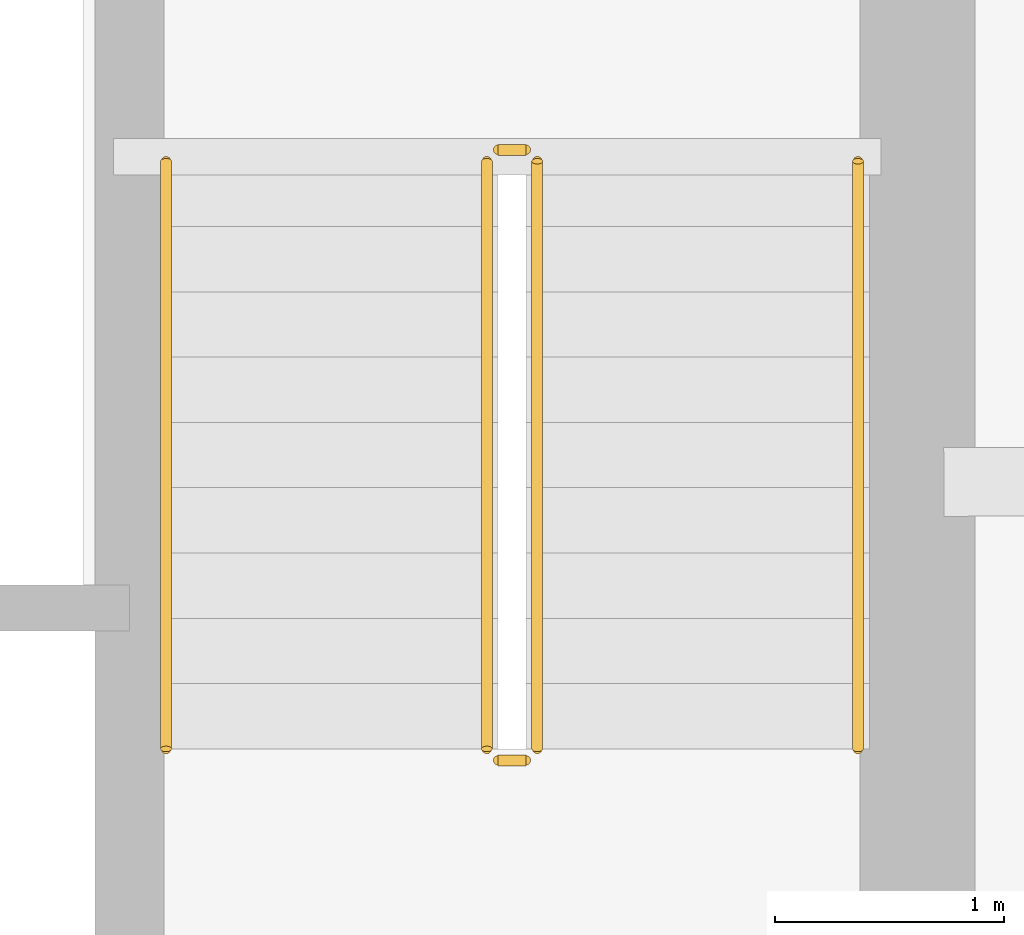
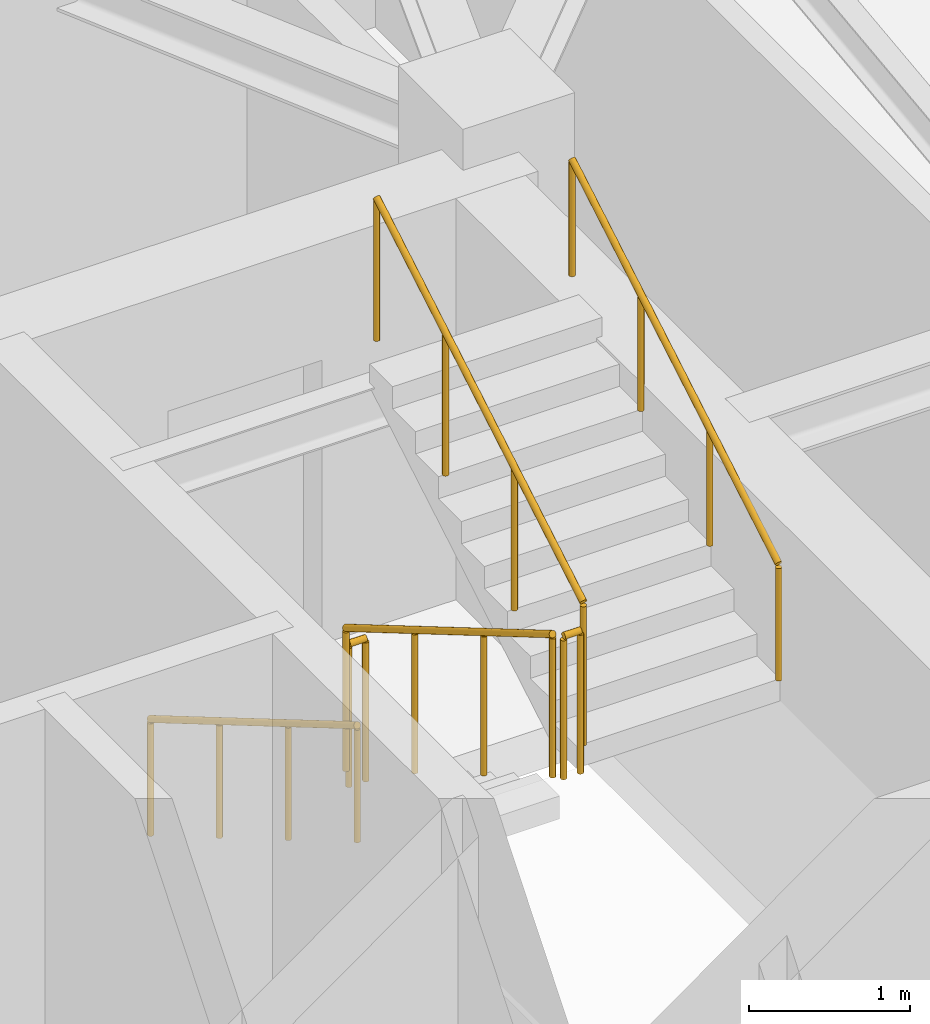
# One storey, part 12 of 12: 6 railings.
"""IFC4 building model written with IfcOpenShell, lengths in metres."""

from ifc_helpers import new_model, si_unit, direction, frame, origin, origin_2d, place, context, subcontext, project, spatial, circle, extrude, material, type_object, element, save


model = new_model("IFC4")

# Units and contexts
model_context = context("Model", 3, precision=1e-05, world=origin(), true_north=direction((0.0, 1.0)))
body_context = subcontext(model_context, "Body", "Model", "MODEL_VIEW")
ifc_project = project(units=[si_unit("LENGTHUNIT", "METRE"), si_unit("AREAUNIT", "SQUARE_METRE"), si_unit("VOLUMEUNIT", "CUBIC_METRE"), si_unit("PLANEANGLEUNIT", "RADIAN"), si_unit("MASSUNIT", "GRAM", prefix="KILO")], contexts=[model_context])

# Site, building, storey
site_placement = place(None, origin())
site = spatial("IfcSite", under=ifc_project, at=site_placement, CompositionType="ELEMENT")
building_placement = place(site_placement, origin())
building = spatial("IfcBuilding", under=site, at=building_placement, Name="Qobustan Lattice House", CompositionType="ELEMENT")
storey_placement = place(building_placement, frame((0.0, 0.0, 203.10009765625)))
storey = spatial("IfcBuildingStorey", under=building, at=storey_placement, Name="L57", CompositionType="ELEMENT", Elevation=203.10009765625)

# Railings
ifc_material_1 = material(Name="Brushed stainless steel handrail", Category="steel")
railing_type_1 = type_object("IfcRailingType", Name="RAL-HR-920", PredefinedType="HANDRAIL", material=ifc_material_1)
railing_1_placement = place(storey_placement, frame((15.179931640625, 3.5, 0.16748046875)))
element("IfcRailing", 1, at=railing_1_placement, inside=storey, type_object=railing_type_1, Name="L57 ST-E1 stair handrail 1", PredefinedType="HANDRAIL", context=body_context, shape_type="SweptSolid", body=[
    extrude(circle(Radius=0.02392578125, at=origin_2d()), frame((0.0, 0.0, 0.8759765625), z_axis=(0.0, -0.862149314443, 0.506654280161), x_axis=(1.0, 0.0, 0.0)), (0.0, 0.0, 1.0), 2.97509765625),
    extrude(circle(Radius=0.02099609375, at=origin_2d()), origin(), (0.0, 0.0, 1.0), 0.851806640625),
    extrude(circle(Radius=0.02099609375, at=origin_2d()), frame((0.0, -0.85498046875, 0.50244140625)), (0.0, 0.0, 1.0), 0.851806640625),
    extrude(circle(Radius=0.02099609375, at=origin_2d()), frame((0.0, -1.7099609375, 1.0048828125)), (0.0, 0.0, 1.0), 0.851806640625),
    extrude(circle(Radius=0.02099609375, at=origin_2d()), frame((0.0, -2.56494140625, 1.50732421875)), (0.0, 0.0, 1.0), 0.851806640625),
])
railing_2_placement = place(storey_placement, frame((18.199951171875, 0.93505859375, 1.84228515625)))
element("IfcRailing", 2, at=railing_2_placement, inside=storey, type_object=railing_type_1, Name="L57 ST-E1 stair handrail 2", PredefinedType="HANDRAIL", context=body_context, shape_type="SweptSolid", body=[
    extrude(circle(Radius=0.02392578125, at=origin_2d()), frame((0.0, 0.0, 0.8759765625), z_axis=(0.0, 0.862113467892, 0.50671527358), x_axis=(-1.0, 0.0, 0.0)), (0.0, 0.0, 1.0), 2.97509765625),
    extrude(circle(Radius=0.02099609375, at=origin_2d()), origin(), (0.0, 0.0, 1.0), 0.851806640625),
    extrude(circle(Radius=0.02099609375, at=origin_2d()), frame((0.0, 0.85498046875, 0.50244140625)), (0.0, 0.0, 1.0), 0.851806640625),
    extrude(circle(Radius=0.02099609375, at=origin_2d()), frame((0.0, 1.7099609375, 1.005126953125)), (0.0, 0.0, 1.0), 0.851806640625),
    extrude(circle(Radius=0.02099609375, at=origin_2d()), frame((0.0, 2.56494140625, 1.507568359375)), (0.0, 0.0, 1.0), 0.851806640625),
])
ifc_material_2 = material(Name="Painted galvanized steel guardrail", Category="steel")
railing_type_2 = type_object("IfcRailingType", Name="RAL-STG-1150", PredefinedType="GUARDRAIL", material=ifc_material_2)
railing_3_placement = place(storey_placement, frame((16.580078125, 3.5, 0.16748046875)))
element("IfcRailing", 3, at=railing_3_placement, inside=storey, type_object=railing_type_2, Name="L57 ST-E1 stair guard 1", PredefinedType="GUARDRAIL", context=body_context, shape_type="SweptSolid", body=[
    extrude(circle(Radius=0.02392578125, at=origin_2d()), frame((0.0, 0.0, 1.076171875), z_axis=(0.0, -0.862149314443, 0.506654280161), x_axis=(1.0, 0.0, 0.0)), (0.0, 0.0, 1.0), 2.97509765625),
    extrude(circle(Radius=0.02099609375, at=origin_2d()), origin(), (0.0, 0.0, 1.0), 1.052001953125),
    extrude(circle(Radius=0.02099609375, at=origin_2d()), frame((0.0, -0.85498046875, 0.50244140625)), (0.0, 0.0, 1.0), 1.052001953125),
    extrude(circle(Radius=0.02099609375, at=origin_2d()), frame((0.0, -1.7099609375, 1.0048828125)), (0.0, 0.0, 1.0), 1.052001953125),
    extrude(circle(Radius=0.02099609375, at=origin_2d()), frame((0.0, -2.56494140625, 1.50732421875)), (0.0, 0.0, 1.0), 1.052001953125),
])
railing_4_placement = place(storey_placement, frame((16.6298828125, 0.885009765625, 1.6748046875)))
element("IfcRailing", 4, at=railing_4_placement, inside=storey, type_object=railing_type_2, Name="L57 ST-E1 stair guard 2", PredefinedType="GUARDRAIL", context=body_context, shape_type="SweptSolid", body=[
    extrude(circle(Radius=0.02392578125, at=origin_2d()), frame((0.0, 0.0, 1.076171875), z_axis=(1.0, 0.0, 0.0), x_axis=(0.0, 1.0, 0.0)), (0.0, 0.0, 1.0), 0.1201171875),
    extrude(circle(Radius=0.02099609375, at=origin_2d()), origin(), (0.0, 0.0, 1.0), 1.052001953125),
    extrude(circle(Radius=0.02099609375, at=origin_2d()), frame((0.1201171875, 0.0, 0.0)), (0.0, 0.0, 1.0), 1.052001953125),
])
railing_5_placement = place(storey_placement, frame((16.800048828125, 0.93505859375, 1.84228515625)))
element("IfcRailing", 5, at=railing_5_placement, inside=storey, type_object=railing_type_2, Name="L57 ST-E1 stair guard 3", PredefinedType="GUARDRAIL", context=body_context, shape_type="SweptSolid", body=[
    extrude(circle(Radius=0.02392578125, at=origin_2d()), frame((0.0, 0.0, 1.076171875), z_axis=(0.0, 0.862113467892, 0.50671527358), x_axis=(-1.0, 0.0, 0.0)), (0.0, 0.0, 1.0), 2.97509765625),
    extrude(circle(Radius=0.02099609375, at=origin_2d()), origin(), (0.0, 0.0, 1.0), 1.052001953125),
    extrude(circle(Radius=0.02099609375, at=origin_2d()), frame((0.0, 0.85498046875, 0.50244140625)), (0.0, 0.0, 1.0), 1.052001953125),
    extrude(circle(Radius=0.02099609375, at=origin_2d()), frame((0.0, 1.7099609375, 1.005126953125)), (0.0, 0.0, 1.0), 1.052001953125),
    extrude(circle(Radius=0.02099609375, at=origin_2d()), frame((0.0, 2.56494140625, 1.507568359375)), (0.0, 0.0, 1.0), 1.052001953125),
])
railing_6_placement = place(storey_placement, frame((16.6298828125, 3.550048828125, 0.0)))
element("IfcRailing", 6, at=railing_6_placement, inside=storey, type_object=railing_type_2, Name="L57 ST-E1 stair guard 4", PredefinedType="GUARDRAIL", context=body_context, shape_type="SweptSolid", body=[
    extrude(circle(Radius=0.02392578125, at=origin_2d()), frame((0.0, 0.0, 1.076171875), z_axis=(1.0, 0.0, 0.0), x_axis=(0.0, 1.0, 0.0)), (0.0, 0.0, 1.0), 0.1201171875),
    extrude(circle(Radius=0.02099609375, at=origin_2d()), origin(), (0.0, 0.0, 1.0), 1.052001953125),
    extrude(circle(Radius=0.02099609375, at=origin_2d()), frame((0.1201171875, 0.0, 0.0)), (0.0, 0.0, 1.0), 1.052001953125),
])

save(model, "model.ifc")
